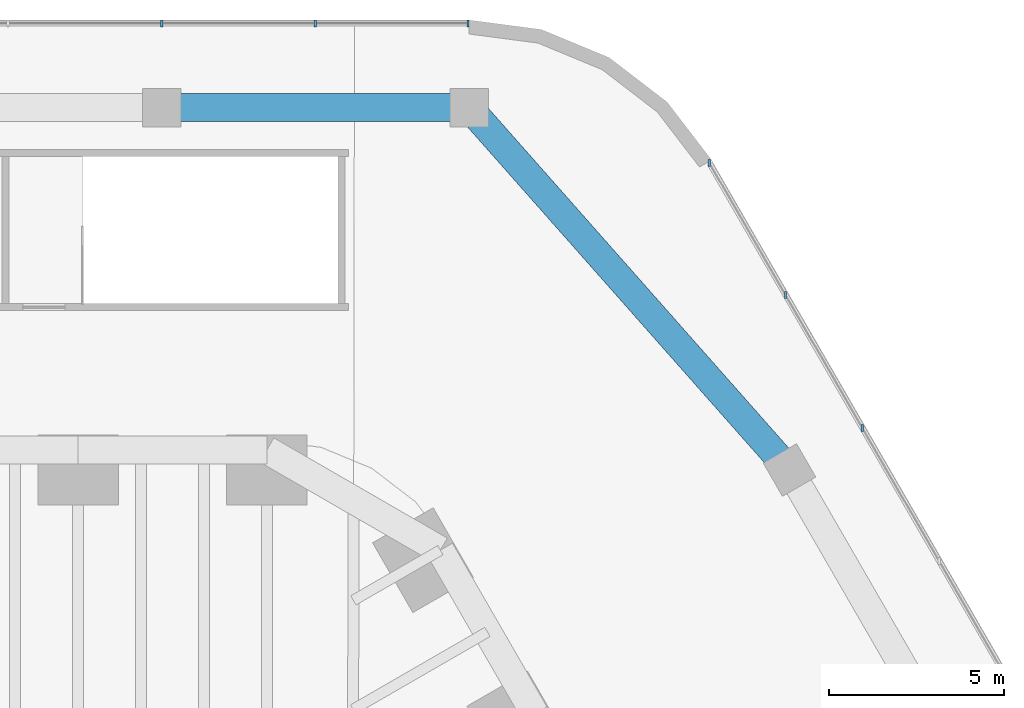
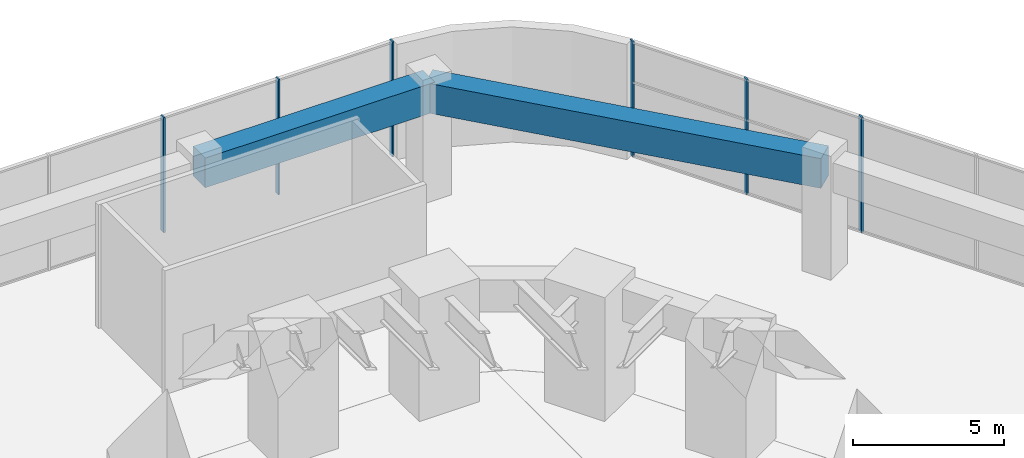
# One storey, part 22 of 31: 6 members, 2 beams, 2 elements without a shape of their own.
"""IFC4 building model written with IfcOpenShell, lengths in metres."""

from ifc_helpers import new_model, si_unit, direction, frame, origin, origin_2d, place, context, subcontext, project, spatial, rectangle, extrude, material, material_profile, profile_set, type_object, element, aggregate, save


model = new_model("IFC4")

# Units and contexts
model_context = context("Model", 3, precision=1e-05, world=origin(), true_north=direction((0.0, 1.0)))
body_context = subcontext(model_context, "Body", "Model", "MODEL_VIEW")
ifc_project = project(units=[si_unit("LENGTHUNIT", "METRE"), si_unit("AREAUNIT", "SQUARE_METRE"), si_unit("VOLUMEUNIT", "CUBIC_METRE"), si_unit("PLANEANGLEUNIT", "RADIAN"), si_unit("MASSUNIT", "GRAM", prefix="KILO")], contexts=[model_context])

# Site, building, storey
site_placement = place(None, origin())
site = spatial("IfcSite", under=ifc_project, at=site_placement, CompositionType="ELEMENT")
building_placement = place(site_placement, origin())
building = spatial("IfcBuilding", under=site, at=building_placement, Name="Tarfa Lantern Tower", CompositionType="ELEMENT")
storey_placement = place(building_placement, frame((0.0, 0.0, 18.5)))
storey = spatial("IfcBuildingStorey", under=building, at=storey_placement, Name="L03", CompositionType="ELEMENT", Elevation=18.5)

# Curtain wall, members
ifc_material_1 = material(Name="Aluminium framed curtain wall", Category="aluminium")
curtain_wall_type = type_object("IfcCurtainWallType", Name="CW7 PODIUM GLAZING 4650", PredefinedType="USERDEFINED", material=ifc_material_1)
curtain_wall_1_placement = place(storey_placement, origin())
curtain_wall_1 = element("IfcCurtainWall", 1, at=curtain_wall_1_placement, inside=storey, type_object=curtain_wall_type, Name="CW7 NE L03", ObjectType="CURTAIN WALL", PredefinedType="USERDEFINED")
ifc_material_2 = material(Name="Aluminium mullion", Category="aluminium")
ifc_material_profile_1 = material_profile(ifc_material_2, rectangle(XDim=0.06494140625, YDim=0.199951171875, at=origin_2d()), Name="AL MULLION 65x200")
ifc_profile_set_1 = profile_set([ifc_material_profile_1], Name="Aluminium mullion")
member_type = type_object("IfcMemberType", Name="CWM1 MULLION 65x200", PredefinedType="MULLION", material=ifc_profile_set_1)
member_1_placement = place(storey_placement, frame((33.168701171875, 34.35009765625, 0.0), z_axis=(0.0, 0.0, 1.0), x_axis=(1.0, 0.0, 0.0)))
member_1 = element("IfcMember", 2, at=member_1_placement, type_object=member_type, Name="CW7 mullion 9", PredefinedType="MULLION", context=body_context, shape_type="SweptSolid", body=[
    extrude(rectangle(XDim=0.06494140625, YDim=0.199951171875, at=origin_2d()), origin(), (0.0, 0.0, 1.0), 4.64990234375),
])
member_2_placement = place(storey_placement, frame((30.974853515625, 38.14990234375, 0.0), z_axis=(0.0, 0.0, 1.0), x_axis=(1.0, 0.0, 0.0)))
member_2 = element("IfcMember", 3, at=member_2_placement, type_object=member_type, Name="CW7 mullion 10", PredefinedType="MULLION", context=body_context, shape_type="SweptSolid", body=[
    extrude(rectangle(XDim=0.06494140625, YDim=0.199951171875, at=origin_2d()), origin(), (0.0, 0.0, 1.0), 4.64990234375),
])
member_3_placement = place(storey_placement, frame((28.797119140625, 41.921875, 0.0), z_axis=(0.0, 0.0, 1.0), x_axis=(1.0, 0.0, 0.0)))
member_3 = element("IfcMember", 4, at=member_3_placement, type_object=member_type, Name="CW7 mullion 11", PredefinedType="MULLION", context=body_context, shape_type="SweptSolid", body=[
    extrude(rectangle(XDim=0.06494140625, YDim=0.199951171875, at=origin_2d()), origin(), (0.0, 0.0, 1.0), 4.64990234375),
])
aggregate(curtain_wall_1, [member_1, member_2, member_3])

curtain_wall_2_placement = place(storey_placement, origin())
curtain_wall_2 = element("IfcCurtainWall", 5, at=curtain_wall_2_placement, inside=storey, type_object=curtain_wall_type, Name="CW7 N L03", ObjectType="CURTAIN WALL", PredefinedType="USERDEFINED")
member_4_placement = place(storey_placement, frame((21.90673828125, 45.89990234375, 0.0), z_axis=(0.0, 0.0, 1.0), x_axis=(1.0, 0.0, 0.0)))
member_4 = element("IfcMember", 6, at=member_4_placement, type_object=member_type, Name="CW7 mullion 1", PredefinedType="MULLION", context=body_context, shape_type="SweptSolid", body=[
    extrude(rectangle(XDim=0.06494140625, YDim=0.199951171875, at=origin_2d()), origin(), (0.0, 0.0, 1.0), 4.64990234375),
])
member_5_placement = place(storey_placement, frame((17.551513671875, 45.89990234375, 0.0), z_axis=(0.0, 0.0, 1.0), x_axis=(1.0, 0.0, 0.0)))
member_5 = element("IfcMember", 7, at=member_5_placement, type_object=member_type, Name="CW7 mullion 2", PredefinedType="MULLION", context=body_context, shape_type="SweptSolid", body=[
    extrude(rectangle(XDim=0.06494140625, YDim=0.199951171875, at=origin_2d()), origin(), (0.0, 0.0, 1.0), 4.64990234375),
])
member_6_placement = place(storey_placement, frame((13.16357421875, 45.89990234375, 0.0), z_axis=(0.0, 0.0, 1.0), x_axis=(1.0, 0.0, 0.0)))
member_6 = element("IfcMember", 8, at=member_6_placement, type_object=member_type, Name="CW7 mullion 3", PredefinedType="MULLION", context=body_context, shape_type="SweptSolid", body=[
    extrude(rectangle(XDim=0.06494140625, YDim=0.199951171875, at=origin_2d()), origin(), (0.0, 0.0, 1.0), 4.64990234375),
])
aggregate(curtain_wall_2, [member_4, member_5, member_6])

# Beams
ifc_material_3 = material(Name="Concrete C80/95", Category="concrete")
ifc_material_profile_2 = material_profile(ifc_material_3, rectangle(XDim=0.800048828125, YDim=1.199951171875, at=origin_2d()), Name="RC 800x1200")
ifc_profile_set_2 = profile_set([ifc_material_profile_2], Name="Concrete C80/95")
beam_type = type_object("IfcBeamType", Name="PB2 RC 800x1200", PredefinedType="BEAM", material=ifc_profile_set_2)
beam_1_placement = place(storey_placement, frame((31.09033203125, 33.14990234375, 4.050048828125), z_axis=(-0.662381688084, 0.74916653642, 0.0), x_axis=(-0.74916653642, -0.662381688084, 0.0)))
element("IfcBeam", 9, at=beam_1_placement, inside=storey, type_object=beam_type, Name="Podium ring beam NE4", PredefinedType="BEAM", context=body_context, shape_type="SweptSolid", body=[
    extrude(rectangle(XDim=0.800048828125, YDim=1.199951171875, at=origin_2d()), origin(), (0.0, 0.0, 1.0), 13.8154296875),
])
beam_2_placement = place(storey_placement, frame((21.939208984375, 43.5, 4.050048828125), z_axis=(-1.0, 0.0, 0.0), x_axis=(0.0, -1.0, 0.0)))
element("IfcBeam", 10, at=beam_2_placement, inside=storey, type_object=beam_type, Name="Podium ring beam N0", PredefinedType="BEAM", context=body_context, shape_type="SweptSolid", body=[
    extrude(rectangle(XDim=0.800048828125, YDim=1.199951171875, at=origin_2d()), origin(), (0.0, 0.0, 1.0), 8.775634765625),
])

save(model, "model.ifc")
